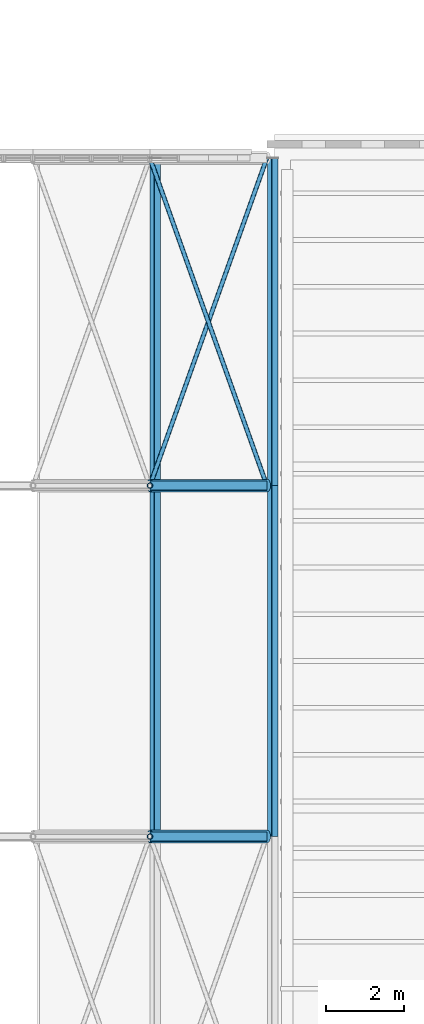
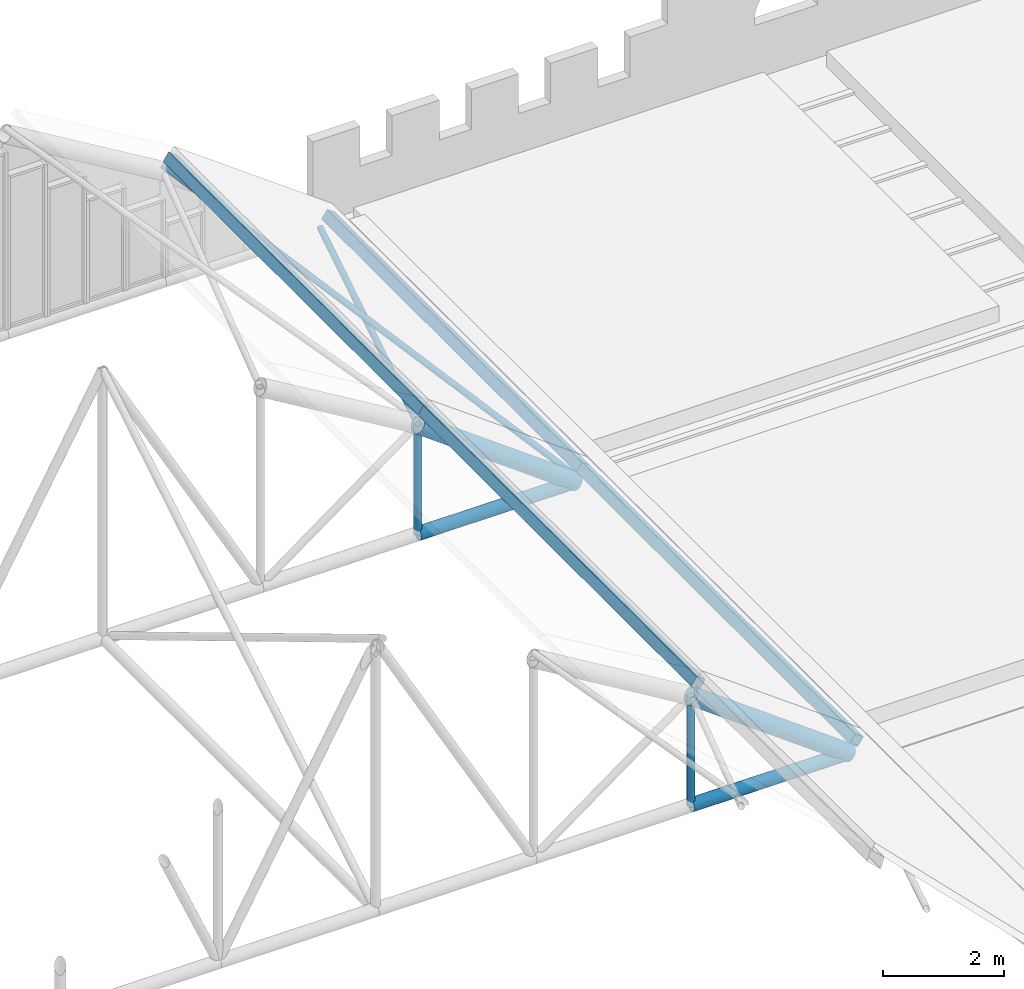
# One storey, part 77 of 153: 12 members.
"""IFC4 building model written with IfcOpenShell, lengths in metres."""

from ifc_helpers import new_model, si_unit, direction, frame, origin, origin_2d, place, context, subcontext, project, spatial, hollow_rectangle, hollow_circle, extrude, material, material_profile, profile_set, type_object, element, save


model = new_model("IFC4")

# Units and contexts
model_context = context("Model", 3, precision=1e-05, world=origin(), true_north=direction((0.0, 1.0)))
body_context = subcontext(model_context, "Body", "Model", "MODEL_VIEW")
ifc_project = project(units=[si_unit("LENGTHUNIT", "METRE"), si_unit("AREAUNIT", "SQUARE_METRE"), si_unit("VOLUMEUNIT", "CUBIC_METRE"), si_unit("PLANEANGLEUNIT", "RADIAN"), si_unit("MASSUNIT", "GRAM", prefix="KILO")], contexts=[model_context])

# Site, building, storey
site_placement = place(None, origin())
site = spatial("IfcSite", under=ifc_project, at=site_placement, CompositionType="ELEMENT")
building_placement = place(site_placement, origin())
building = spatial("IfcBuilding", under=site, at=building_placement, Name="Baradari Gate Terminus", CompositionType="ELEMENT")
storey_placement = place(building_placement, frame((0.0, 0.0, 11.699951171875)))
storey = spatial("IfcBuildingStorey", under=building, at=storey_placement, Name="L02", CompositionType="ELEMENT", Elevation=11.699951171875)

# Members
ifc_material_1 = material(Name="Steel S355", Category="steel")
ifc_material_profile_1 = material_profile(ifc_material_1, hollow_circle(Radius=0.06982421875, WallThickness=0.008056640625, at=origin_2d()), Name="CHS 139.7x8")
ifc_profile_set_1 = profile_set([ifc_material_profile_1], Name="Steel S355")
member_type_1 = type_object("IfcMemberType", Name="Hall vault post CHS 139.7x8", PredefinedType="POST", material=ifc_profile_set_1)
for number, where, z_axis, x_axis, name in (
    (1, (168.0, 90.0, 0.122314453125), (0.0, 0.0, 1.0), (1.0, 0.0, 0.0), "TR/L02/VT2-PS11"),
    (2, (168.0, 99.0, 0.122314453125), (0.0, 0.0, 1.0), (1.0, 0.0, 0.0), "TR/L02/VT3-PS11"),
):
    element("IfcMember", number, at=place(storey_placement, frame(where, z_axis=z_axis, x_axis=x_axis)), inside=storey, type_object=member_type_1, Name=name, PredefinedType="POST", context=body_context, shape_type="SweptSolid", body=[
        extrude(hollow_circle(Radius=0.06982421875, WallThickness=0.008056640625, at=origin_2d()), origin(), (0.0, 0.0, 1.0), 2.199951171875),
    ])
ifc_material_2 = material(Name="Steel S355", Category="steel")
ifc_material_profile_2 = material_profile(ifc_material_2, hollow_circle(Radius=0.122314453125, WallThickness=0.010009765625, at=origin_2d()), Name="CHS 244.5x10")
ifc_profile_set_2 = profile_set([ifc_material_profile_2], Name="Steel S355")
member_type_2 = type_object("IfcMemberType", Name="Hall vault tie CHS 244.5x10", PredefinedType="CHORD", material=ifc_profile_set_2)
for number, where, z_axis, x_axis, name in (
    (3, (168.0, 90.0, 0.122314453125), (1.0, 0.0, 0.0), (0.0, 1.0, 0.0), "TR/L02/VT2-BC11"),
    (4, (168.0, 99.0, 0.122314453125), (1.0, 0.0, 0.0), (0.0, 1.0, 0.0), "TR/L02/VT3-BC11"),
):
    element("IfcMember", number, at=place(storey_placement, frame(where, z_axis=z_axis, x_axis=x_axis)), inside=storey, type_object=member_type_2, Name=name, PredefinedType="CHORD", context=body_context, shape_type="SweptSolid", body=[
        extrude(hollow_circle(Radius=0.122314453125, WallThickness=0.010009765625, at=origin_2d()), origin(), (0.0, 0.0, 1.0), 3.0),
    ])
ifc_material_3 = material(Name="Steel S355", Category="steel")
ifc_material_profile_3 = material_profile(ifc_material_3, hollow_circle(Radius=0.161865234375, WallThickness=0.012451171875, at=origin_2d()), Name="CHS 323.9x12.5")
ifc_profile_set_3 = profile_set([ifc_material_profile_3], Name="Steel S355")
member_type_3 = type_object("IfcMemberType", Name="Hall vault top chord CHS 323.9x12.5", PredefinedType="CHORD", material=ifc_profile_set_3)
for number, where, z_axis, x_axis, name in (
    (5, (168.0, 90.0, 2.322265625), (0.80641125493, 0.0, -0.591355128432), (0.0, 1.0, 0.0), "TR/L02/VT2-TC11"),
    (6, (168.0, 99.0, 2.322265625), (0.80641125493, 0.0, -0.591355128432), (0.0, 1.0, 0.0), "TR/L02/VT3-TC11"),
):
    element("IfcMember", number, at=place(storey_placement, frame(where, z_axis=z_axis, x_axis=x_axis)), inside=storey, type_object=member_type_3, Name=name, PredefinedType="CHORD", context=body_context, shape_type="SweptSolid", body=[
        extrude(hollow_circle(Radius=0.161865234375, WallThickness=0.012451171875, at=origin_2d()), origin(), (0.0, 0.0, 1.0), 3.72021484375),
    ])
ifc_material_4 = material(Name="Steel S355", Category="steel")
ifc_material_profile_4 = material_profile(ifc_material_4, hollow_rectangle(XDim=0.199951171875, YDim=0.199951171875, WallThickness=0.008056640625, InnerFilletRadius=0.008056640625, OuterFilletRadius=0.01611328125, at=origin_2d()), Name="SHS 200x200x8")
ifc_profile_set_4 = profile_set([ifc_material_profile_4], Name="Steel S355")
member_type_4 = type_object("IfcMemberType", Name="Shed purlin SHS 200x200x8", PredefinedType="PURLIN", material=ifc_profile_set_4)
for number, where, z_axis, x_axis, name in (
    (7, (168.138427734375, 90.0, 2.530517578125), (0.0, 1.0, 0.0), (-0.832836263724, 0.0, 0.55351942859), "TR/L02/VP2-PU11"),
    (8, (171.147705078125, 90.0, 0.323974609375), (0.0, 1.0, 0.0), (-0.80640499586, 0.0, 0.591363663621), "TR/L02/VP2-PU12"),
):
    element("IfcMember", number, at=place(storey_placement, frame(where, z_axis=z_axis, x_axis=x_axis)), inside=storey, type_object=member_type_4, Name=name, PredefinedType="PURLIN", context=body_context, shape_type="SweptSolid", body=[
        extrude(hollow_rectangle(XDim=0.199951171875, YDim=0.199951171875, WallThickness=0.008056640625, InnerFilletRadius=0.008056640625, OuterFilletRadius=0.01611328125, at=origin_2d()), origin(), (0.0, 0.0, 1.0), 9.0),
    ])
for number, where, z_axis, x_axis, name in (
    (9, (168.138427734375, 99.0, 2.530517578125), (0.0, 1.0, 0.0), (-0.832836263724, 0.0, 0.55351942859), "TR/L02/VP3-PU11"),
    (10, (171.147705078125, 99.0, 0.323974609375), (0.0, 1.0, 0.0), (-0.80640499586, 0.0, 0.591363663621), "TR/L02/VP3-PU12"),
):
    element("IfcMember", number, at=place(storey_placement, frame(where, z_axis=z_axis, x_axis=x_axis)), inside=storey, type_object=member_type_4, Name=name, PredefinedType="PURLIN", context=body_context, shape_type="SweptSolid", body=[
        extrude(hollow_rectangle(XDim=0.199951171875, YDim=0.199951171875, WallThickness=0.008056640625, InnerFilletRadius=0.008056640625, OuterFilletRadius=0.01611328125, at=origin_2d()), origin(), (0.0, 0.0, 1.0), 8.39990234375),
    ])
ifc_material_5 = material(Name="Steel S355", Category="steel")
ifc_material_profile_5 = material_profile(ifc_material_5, hollow_circle(Radius=0.05712890625, WallThickness=0.00634765625, at=origin_2d()), Name="CHS 114.3x6.3")
ifc_profile_set_5 = profile_set([ifc_material_profile_5], Name="Steel S355")
member_type_5 = type_object("IfcMemberType", Name="Shed roof brace CHS 114.3x6.3", PredefinedType="BRACE", material=ifc_profile_set_5)
for number, where, z_axis, x_axis, name in (
    (11, (168.0, 99.0, 2.322265625), (0.326553847652, 0.914340143417, -0.239467506607), (-0.941740673063, 0.336339864867, 0.0), "TR/L02/VPB3-RB11A"),
    (12, (171.0, 99.0, 0.236572265625), (-0.326553847652, 0.914340143417, 0.239467506607), (-0.941740673063, -0.336339864867, 0.0), "TR/L02/VPB3-RB11B"),
):
    element("IfcMember", number, at=place(storey_placement, frame(where, z_axis=z_axis, x_axis=x_axis)), inside=storey, type_object=member_type_5, Name=name, PredefinedType="BRACE", context=body_context, shape_type="SweptSolid", body=[
        extrude(hollow_circle(Radius=0.05712890625, WallThickness=0.00634765625, at=origin_2d()), origin(), (0.0, 0.0, 1.0), 9.186767578125),
    ])

save(model, "model.ifc")
